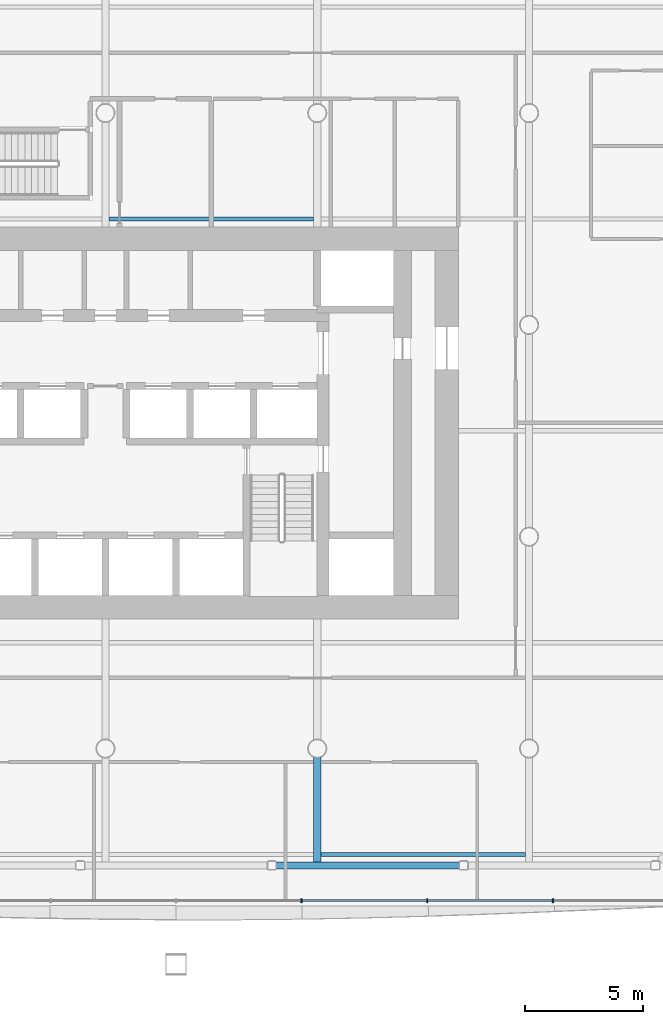
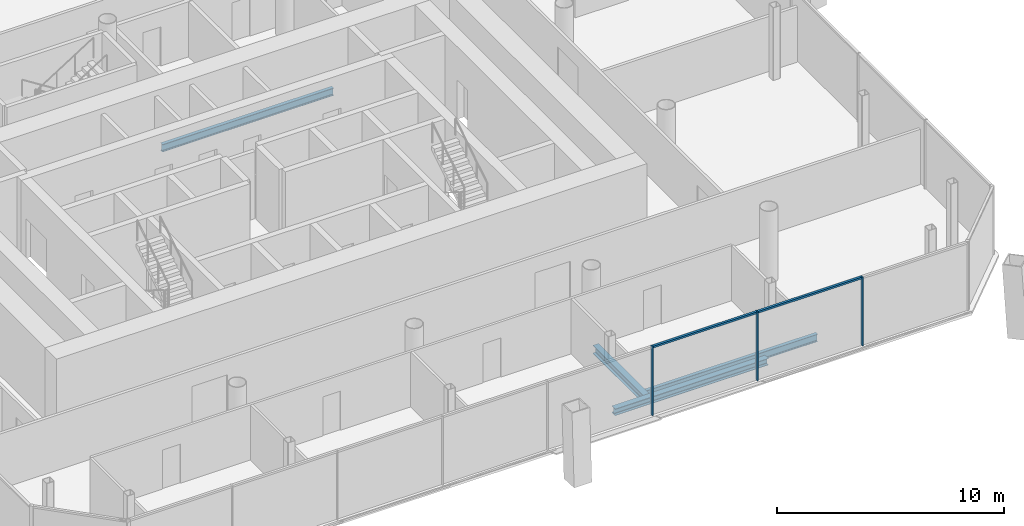
# One storey, part 5 of 19: 5 members, 4 beams, 1 element without a shape of its own.
"""IFC4 building model written with IfcOpenShell, lengths in metres."""

from ifc_helpers import new_model, si_unit, direction, frame, origin, origin_2d, place, context, subcontext, project, spatial, rectangle, i_section, extrude, material, material_profile, profile_set, type_object, element, aggregate, save


model = new_model("IFC4")

# Units and contexts
model_context = context("Model", 3, precision=1e-05, world=origin(), true_north=direction((0.0, 1.0)))
body_context = subcontext(model_context, "Body", "Model", "MODEL_VIEW")
ifc_project = project(units=[si_unit("LENGTHUNIT", "METRE"), si_unit("AREAUNIT", "SQUARE_METRE"), si_unit("VOLUMEUNIT", "CUBIC_METRE"), si_unit("PLANEANGLEUNIT", "RADIAN"), si_unit("MASSUNIT", "GRAM", prefix="KILO")], contexts=[model_context])

# Site, building, storey
site_placement = place(None, origin())
site = spatial("IfcSite", under=ifc_project, at=site_placement, CompositionType="ELEMENT")
building_placement = place(site_placement, origin())
building = spatial("IfcBuilding", under=site, at=building_placement, Name="Tskaro Facet Tower", CompositionType="ELEMENT")
storey_placement = place(building_placement, frame((0.0, 0.0, 93.300048828125)))
storey = spatial("IfcBuildingStorey", under=building, at=storey_placement, Name="L22", CompositionType="ELEMENT", Elevation=93.300048828125)

# Curtain wall, members
ifc_material_1 = material(Name="Bronze anodised aluminium 6063-T6", Category="aluminium")
curtain_wall_type = type_object("IfcCurtainWallType", Name="Bronze office curtain wall (FW1)", PredefinedType="NOTDEFINED", material=ifc_material_1)
curtain_wall_placement = place(storey_placement, origin())
curtain_wall = element("IfcCurtainWall", 1, at=curtain_wall_placement, inside=storey, type_object=curtain_wall_type, Name="FW1 south facet L22", PredefinedType="NOTDEFINED")
ifc_material_profile_1 = material_profile(ifc_material_1, rectangle(XDim=0.06005859375, YDim=0.159912109375, at=origin_2d()), Name="Mullion 60x160")
ifc_profile_set_1 = profile_set([ifc_material_profile_1], Name="Bronze anodised aluminium 6063-T6")
member_type_1 = type_object("IfcMemberType", Name="FW1 bronze mullion 60x160", PredefinedType="MULLION", material=ifc_profile_set_1)
member_1_placement = place(storey_placement, frame((8.3369140625, -24.462890625, 0.0), z_axis=(0.0, 0.0, 1.0), x_axis=(1.0, 0.0, 0.0)))
member_1 = element("IfcMember", 2, at=member_1_placement, type_object=member_type_1, Name="FW1 south mullion 5", PredefinedType="MULLION", context=body_context, shape_type="SweptSolid", body=[
    extrude(rectangle(XDim=0.06005859375, YDim=0.159912109375, at=origin_2d()), origin(), (0.0, 0.0, 1.0), 3.699951171875),
])
member_2_placement = place(storey_placement, frame((13.674072265625, -24.462890625, 0.0), z_axis=(0.0, 0.0, 1.0), x_axis=(1.0, 0.0, 0.0)))
member_2 = element("IfcMember", 3, at=member_2_placement, type_object=member_type_1, Name="FW1 south mullion 6", PredefinedType="MULLION", context=body_context, shape_type="SweptSolid", body=[
    extrude(rectangle(XDim=0.06005859375, YDim=0.159912109375, at=origin_2d()), origin(), (0.0, 0.0, 1.0), 3.699951171875),
])
member_3_placement = place(storey_placement, frame((19.010986328125, -24.462890625, 0.0), z_axis=(0.0, 0.0, 1.0), x_axis=(1.0, 0.0, 0.0)))
member_3 = element("IfcMember", 4, at=member_3_placement, type_object=member_type_1, Name="FW1 south mullion 7", PredefinedType="MULLION", context=body_context, shape_type="SweptSolid", body=[
    extrude(rectangle(XDim=0.06005859375, YDim=0.159912109375, at=origin_2d()), origin(), (0.0, 0.0, 1.0), 3.699951171875),
])
ifc_material_profile_2 = material_profile(ifc_material_1, rectangle(XDim=0.1201171875, YDim=0.10009765625, at=origin_2d()), Name="Transom 120x100")
ifc_profile_set_2 = profile_set([ifc_material_profile_2], Name="Bronze anodised aluminium 6063-T6")
member_type_2 = type_object("IfcMemberType", Name="FW1 bronze transom 120x100", PredefinedType="USERDEFINED", material=ifc_profile_set_2)
member_4_placement = place(storey_placement, frame((8.366943359375, -24.462890625, 3.64990234375), z_axis=(1.0, 0.0, 0.0), x_axis=(0.0, 1.0, 0.0)))
member_4 = element("IfcMember", 5, at=member_4_placement, type_object=member_type_2, Name="FW1 south transom 6.1", ObjectType="TRANSOM", PredefinedType="USERDEFINED", context=body_context, shape_type="SweptSolid", body=[
    extrude(rectangle(XDim=0.1201171875, YDim=0.10009765625, at=origin_2d()), origin(), (0.0, 0.0, 1.0), 5.277099609375),
])
member_5_placement = place(storey_placement, frame((13.7041015625, -24.462890625, 3.64990234375), z_axis=(1.0, 0.0, 0.0), x_axis=(0.0, 1.0, 0.0)))
member_5 = element("IfcMember", 6, at=member_5_placement, type_object=member_type_2, Name="FW1 south transom 7.1", ObjectType="TRANSOM", PredefinedType="USERDEFINED", context=body_context, shape_type="SweptSolid", body=[
    extrude(rectangle(XDim=0.1201171875, YDim=0.10009765625, at=origin_2d()), origin(), (0.0, 0.0, 1.0), 5.27685546875),
])
aggregate(curtain_wall, [member_1, member_2, member_3, member_4, member_5])

# Beams
ifc_material_2 = material(Name="Steel S355J2", Category="steel")
ifc_material_profile_3 = material_profile(ifc_material_2, i_section(OverallWidth=0.300048828125, OverallDepth=0.360107421875, WebThickness=0.012451171875, FlangeThickness=0.0224609375, FilletRadius=0.027099609375, at=origin_2d()), Name="HE 360 B")
ifc_profile_set_3 = profile_set([ifc_material_profile_3], Name="Steel S355J2")
beam_type_1 = type_object("IfcBeamType", Name="HE 360 B ring beam", PredefinedType="BEAM", material=ifc_profile_set_3)
beam_1_placement = place(storey_placement, frame((7.2529296875, -22.965087890625, -0.320068359375), z_axis=(1.0, 0.0, 0.0), x_axis=(0.0, 1.0, 0.0)))
element("IfcBeam", 7, at=beam_1_placement, inside=storey, type_object=beam_type_1, Name="HE 360 B EB4-2", PredefinedType="BEAM", context=body_context, shape_type="SweptSolid", body=[
    extrude(i_section(OverallWidth=0.300048828125, OverallDepth=0.360107421875, WebThickness=0.012451171875, FlangeThickness=0.0224609375, FilletRadius=0.027099609375, at=origin_2d()), origin(), (0.0, 0.0, 1.0), 7.78515625),
])
ifc_material_profile_4 = material_profile(ifc_material_2, i_section(OverallWidth=0.300048828125, OverallDepth=0.43994140625, WebThickness=0.011474609375, FlangeThickness=0.02099609375, FilletRadius=0.027099609375, at=origin_2d()), Name="HE 450 A")
ifc_profile_set_4 = profile_set([ifc_material_profile_4], Name="Steel S355J2")
beam_type_2 = type_object("IfcBeamType", Name="HE 450 A girder", PredefinedType="BEAM", material=ifc_profile_set_4)
beam_2_placement = place(storey_placement, frame((9.0, -22.81494140625, -0.360107421875), z_axis=(0.0, 1.0, 0.0), x_axis=(-1.0, 0.0, 0.0)))
element("IfcBeam", 8, at=beam_2_placement, inside=storey, type_object=beam_type_2, Name="HE 450 A GB5-1-2", PredefinedType="BEAM", context=body_context, shape_type="SweptSolid", body=[
    extrude(i_section(OverallWidth=0.300048828125, OverallDepth=0.43994140625, WebThickness=0.011474609375, FlangeThickness=0.02099609375, FilletRadius=0.027099609375, at=origin_2d()), origin(), (0.0, 0.0, 1.0), 4.4384765625),
])
ifc_material_profile_5 = material_profile(ifc_material_2, i_section(OverallWidth=0.179931640625, OverallDepth=0.39990234375, WebThickness=0.008544921875, FlangeThickness=0.013427734375, FilletRadius=0.02099609375, at=origin_2d()), Name="IPE 400")
ifc_profile_set_5 = profile_set([ifc_material_profile_5], Name="Steel S355J2")
beam_type_3 = type_object("IfcBeamType", Name="IPE 400 secondary beam", PredefinedType="BEAM", material=ifc_profile_set_5)
for number, where, z_axis, x_axis, name in (
    (9, (9.14990234375, -22.5, -0.340087890625), (1.0, 0.0, 0.0), (0.0, 1.0, 0.0), "IPE 400 SB1a-4-2"),
    (10, (0.14990234375, 4.5, -0.340087890625), (1.0, 0.0, 0.0), (0.0, 1.0, 0.0), "IPE 400 SB4a-3-2"),
):
    element("IfcBeam", number, at=place(storey_placement, frame(where, z_axis=z_axis, x_axis=x_axis)), inside=storey, type_object=beam_type_3, Name=name, PredefinedType="BEAM", context=body_context, shape_type="SweptSolid", body=[
        extrude(i_section(OverallWidth=0.179931640625, OverallDepth=0.39990234375, WebThickness=0.008544921875, FlangeThickness=0.013427734375, FilletRadius=0.02099609375, at=origin_2d()), origin(), (0.0, 0.0, 1.0), 8.7001953125),
    ])

save(model, "model.ifc")
